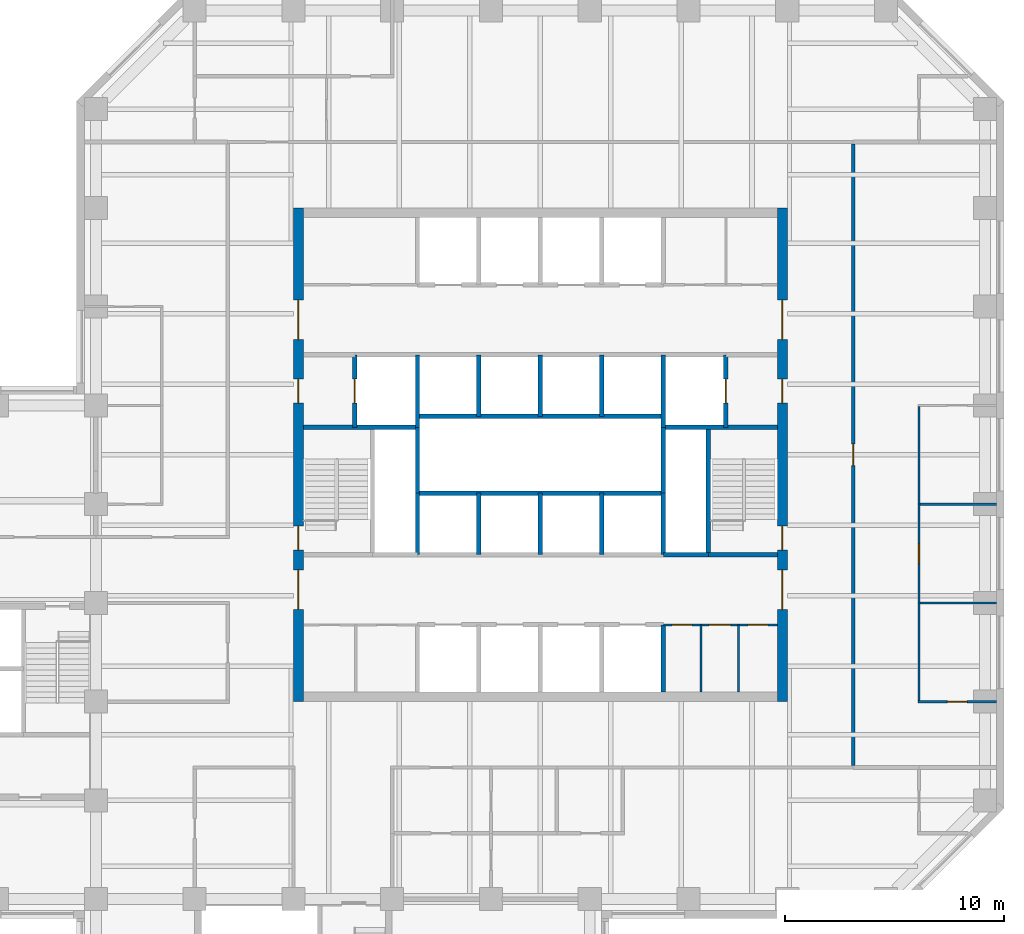
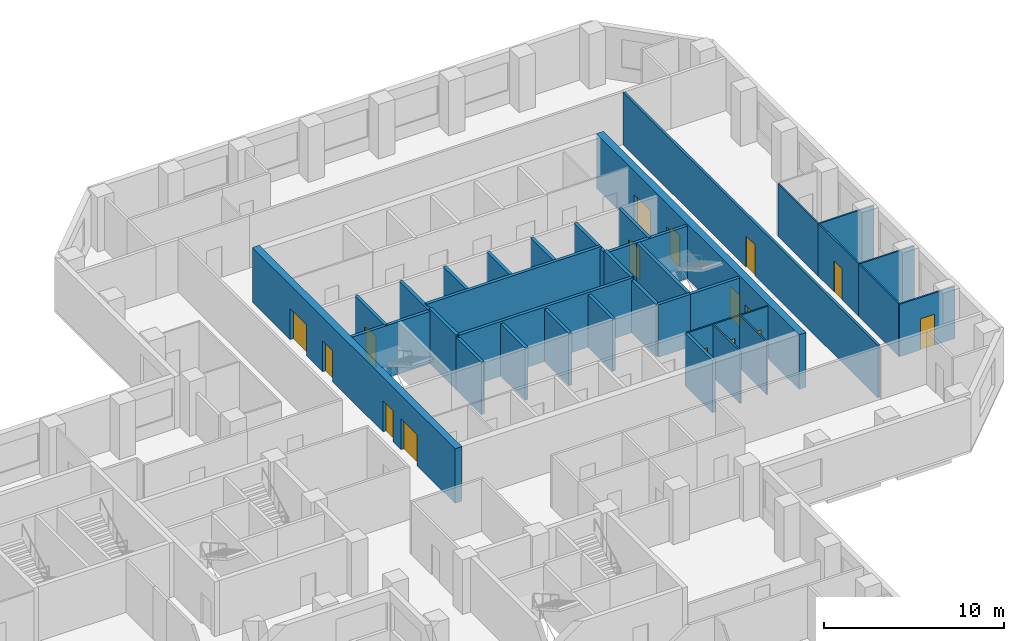
# One storey, part 7 of 10: 34 walls, 16 doors, 16 openings.
"""IFC4 building model written with IfcOpenShell, lengths in metres."""

from ifc_helpers import new_model, si_unit, direction, frame, frame_2d, origin, place, context, subcontext, project, spatial, rectangle, extrude, material, layer, layer_set, type_object, element, fill, save


model = new_model("IFC4")

# Units and contexts
model_context = context("Model", 3, precision=1e-05, world=origin(), true_north=direction((0.0, 1.0)))
body_context = subcontext(model_context, "Body", "Model", "MODEL_VIEW")
ifc_project = project(units=[si_unit("LENGTHUNIT", "METRE"), si_unit("AREAUNIT", "SQUARE_METRE"), si_unit("VOLUMEUNIT", "CUBIC_METRE"), si_unit("PLANEANGLEUNIT", "RADIAN"), si_unit("MASSUNIT", "GRAM", prefix="KILO")], contexts=[model_context])

# Site, building, storey
site_placement = place(None, origin())
site = spatial("IfcSite", under=ifc_project, at=site_placement, CompositionType="ELEMENT")
building_placement = place(site_placement, origin())
building = spatial("IfcBuilding", under=site, at=building_placement, Name="Quoin Convention Tower", CompositionType="ELEMENT")
storey_placement = place(building_placement, frame((0.0, 0.0, 90.0)))
storey = spatial("IfcBuildingStorey", under=building, at=storey_placement, Name="L23", CompositionType="ELEMENT", Elevation=90.0)

# Wall, openings, doors
ifc_material_1 = material(Name="Plasterboard")
ifc_layer_1 = layer(ifc_material_1, 0.012451171875, Name="Finish")
ifc_material_2 = material(Name="Steel stud framing", Category="steel")
ifc_layer_2 = layer(ifc_material_2, 0.074951171875, Name="Structure")
ifc_layer_3 = layer(ifc_material_1, 0.012451171875, Name="Finish")
ifc_layer_set_1 = layer_set([ifc_layer_1, ifc_layer_2, ifc_layer_3], Name="Steel stud framing")
wall_type_1 = type_object("IfcWallType", Name="Core partition wall", PredefinedType="PARTITIONING", material=ifc_layer_set_1)
wall_1_placement = place(storey_placement, frame((61.85009765625, 53.0, 0.0), z_axis=(0.0, 0.0, 1.0), x_axis=(1.0, 0.0, 0.0)))
wall_1 = element("IfcWall", 1, at=wall_1_placement, inside=storey, type_object=wall_type_1, Name="cr-C1-L23-h3500_16850", PredefinedType="PARTITIONING", context=body_context, shape_type="SweptSolid", body=[
    extrude(rectangle(XDim=5.199951171875, YDim=0.10009765625, at=frame_2d((2.60009765625, 0.0))), origin(), (0.0, 0.0, 1.0), 3.550048828125),
])
opening_1_placement = place(wall_1_placement, frame((3.865966796875, 0.0, 0.0)))
opening_1 = element("IfcOpeningElement", 2, at=opening_1_placement, cuts=wall_1, Name="Opening DCV2-21", PredefinedType="OPENING", context=body_context, shape_type="SweptSolid", body=[
    extrude(rectangle(XDim=0.89990234375, YDim=2.10009765625, at=frame_2d((0.449951171875, 1.050048828125))), frame((0.0, 0.06005859375, 0.0), z_axis=(0.0, -1.0, 0.0), x_axis=(1.0, 0.0, 0.0)), (0.0, 0.0, 1.0), 0.1201171875),
])
opening_2_placement = place(wall_1_placement, frame((2.073974609375, 0.0, 0.0)))
opening_2 = element("IfcOpeningElement", 3, at=opening_2_placement, cuts=wall_1, Name="Opening DCV2-19", PredefinedType="OPENING", context=body_context, shape_type="SweptSolid", body=[
    extrude(rectangle(XDim=1.0, YDim=2.10009765625, at=frame_2d((0.5, 1.050048828125))), frame((0.0, 0.06005859375, 0.0), z_axis=(0.0, -1.0, 0.0), x_axis=(1.0, 0.0, 0.0)), (0.0, 0.0, 1.0), 0.1201171875),
])
opening_3_placement = place(wall_1_placement, frame((0.407958984375, 0.0, 0.0)))
opening_3 = element("IfcOpeningElement", 4, at=opening_3_placement, cuts=wall_1, Name="Opening DCV2-17", PredefinedType="OPENING", context=body_context, shape_type="SweptSolid", body=[
    extrude(rectangle(XDim=0.89990234375, YDim=2.10009765625, at=frame_2d((0.449951171875, 1.050048828125))), frame((0.0, 0.06005859375, 0.0), z_axis=(0.0, -1.0, 0.0), x_axis=(1.0, 0.0, 0.0)), (0.0, 0.0, 1.0), 0.1201171875),
])
ifc_material_3 = material(Name="Steel door leaf", Category="steel")
door_type_1 = type_object("IfcDoorType", Name="Core room door 1000 x 2100", OperationType="SINGLE_SWING_LEFT", PredefinedType="DOOR", material=ifc_material_3)
door_1_placement = place(opening_2_placement, frame((1.0, 0.0, 0.0), z_axis=(0.0, 0.0, 1.0), x_axis=(-1.0, 0.0, 0.0)))
door_1 = element("IfcDoor", 5, at=door_1_placement, inside=storey, type_object=door_type_1, Name="cd-C1-L23-CSE1-lobA-CD2311", OperationType="SINGLE_SWING_LEFT", OverallHeight=2.10009765625, OverallWidth=1.0, PredefinedType="DOOR", context=body_context, shape_type="SweptSolid", body=[
    extrude(rectangle(XDim=1.0, YDim=2.10009765625, at=frame_2d((0.5, 1.050048828125))), frame((0.0, 0.02490234375, 0.0), z_axis=(0.0, -1.0, 0.0), x_axis=(1.0, 0.0, 0.0)), (0.0, 0.0, 1.0), 0.050048828125),
])
fill(opening_2, door_1)
door_type_2 = type_object("IfcDoorType", Name="Core room door 900 x 2100", OperationType="SINGLE_SWING_LEFT", PredefinedType="DOOR", material=ifc_material_3)
door_2_placement = place(opening_1_placement, frame((0.89990234375, 0.0, 0.0), z_axis=(0.0, 0.0, 1.0), x_axis=(-1.0, 0.0, 0.0)))
door_2 = element("IfcDoor", 6, at=door_2_placement, inside=storey, type_object=door_type_2, Name="cd-C1-L23-CSE0-lobA-CD2310", OperationType="SINGLE_SWING_LEFT", OverallHeight=2.10009765625, OverallWidth=0.89990234375, PredefinedType="DOOR", context=body_context, shape_type="SweptSolid", body=[
    extrude(rectangle(XDim=0.89990234375, YDim=2.10009765625, at=frame_2d((0.449951171875, 1.050048828125))), frame((0.0, 0.02490234375, 0.0), z_axis=(0.0, -1.0, 0.0), x_axis=(1.0, 0.0, 0.0)), (0.0, 0.0, 1.0), 0.050048828125),
])
fill(opening_1, door_2)
door_3_placement = place(opening_3_placement, frame((0.89990234375, 0.0, 0.0), z_axis=(0.0, 0.0, 1.0), x_axis=(-1.0, 0.0, 0.0)))
door_3 = element("IfcDoor", 7, at=door_3_placement, inside=storey, type_object=door_type_2, Name="cd-C1-L23-CSE2-lobA-CD2312", OperationType="SINGLE_SWING_RIGHT", OverallHeight=2.10009765625, OverallWidth=0.89990234375, PredefinedType="DOOR", context=body_context, shape_type="SweptSolid", body=[
    extrude(rectangle(XDim=0.89990234375, YDim=2.10009765625, at=frame_2d((0.449951171875, 1.050048828125))), frame((0.0, 0.02490234375, 0.0), z_axis=(0.0, -1.0, 0.0), x_axis=(1.0, 0.0, 0.0)), (0.0, 0.0, 1.0), 0.050048828125),
])
fill(opening_3, door_3)

# Walls
for number, where, z_axis, x_axis, name in (
    (8, (63.56591796875, 49.949951171875, 0.0), (0.0, 0.0, 1.0), (0.0, 1.0, 0.0), "cr-C1-L23-v18566_450"),
    (9, (65.281982421875, 49.949951171875, 0.0), (0.0, 0.0, 1.0), (0.0, 1.0, 0.0), "cr-C1-L23-v20282_450"),
):
    element("IfcWall", number, at=place(storey_placement, frame(where, z_axis=z_axis, x_axis=x_axis)), inside=storey, type_object=wall_type_1, Name=name, PredefinedType="PARTITIONING", context=body_context, shape_type="SweptSolid", body=[
        extrude(rectangle(XDim=3.050048828125, YDim=0.10009765625, at=frame_2d((1.52490234375, 0.0))), origin(), (0.0, 0.0, 1.0), 3.550048828125),
    ])
ifc_material_4 = material(Name="Concrete C50", Category="concrete")
ifc_layer_4 = layer(ifc_material_4, 0.199951171875)
ifc_layer_set_2 = layer_set([ifc_layer_4], Name="Concrete C50")
wall_type_2 = type_object("IfcWallType", Name="Core shaft wall", PredefinedType="SOLIDWALL", material=ifc_layer_set_2)
wall_2_placement = place(storey_placement, frame((61.85009765625, 56.199951171875, 0.0), z_axis=(0.0, 0.0, 1.0), x_axis=(1.0, 0.0, 0.0)))
element("IfcWall", 10, at=wall_2_placement, inside=storey, type_object=wall_type_2, Name="cr-C1-L23-h6700_16850", PredefinedType="SOLIDWALL", context=body_context, shape_type="SweptSolid", body=[
    extrude(rectangle(XDim=2.0498046875, YDim=0.199951171875, at=frame_2d((1.02490234375, 0.0))), origin(), (0.0, 0.0, 1.0), 3.550048828125),
])
wall_3_placement = place(storey_placement, frame((63.89990234375, 56.199951171875, 0.0), z_axis=(0.0, 0.0, 1.0), x_axis=(1.0, 0.0, 0.0)))
element("IfcWall", 11, at=wall_3_placement, inside=storey, type_object=wall_type_2, Name="cr-C1-L23-h6700_18900", PredefinedType="SOLIDWALL", context=body_context, shape_type="SweptSolid", body=[
    extrude(rectangle(XDim=3.150146484375, YDim=0.199951171875, at=frame_2d((1.5751953125, 0.0))), origin(), (0.0, 0.0, 1.0), 3.550048828125),
])
for number, where, z_axis, x_axis, name in (
    (12, (45.449951171875, 62.0, 0.0), (0.0, 0.0, 1.0), (1.0, 0.0, 0.0), "cr-C1-L23-h12500_450"),
    (13, (61.85009765625, 62.0, 0.0), (0.0, 0.0, 1.0), (1.0, 0.0, 0.0), "cr-C1-L23-h12500_16850"),
):
    element("IfcWall", number, at=place(storey_placement, frame(where, z_axis=z_axis, x_axis=x_axis)), inside=storey, type_object=wall_type_2, Name=name, PredefinedType="SOLIDWALL", context=body_context, shape_type="SweptSolid", body=[
        extrude(rectangle(XDim=5.199951171875, YDim=0.199951171875, at=frame_2d((2.60009765625, 0.0))), origin(), (0.0, 0.0, 1.0), 3.550048828125),
    ])

# Wall, opening, door
wall_4_placement = place(storey_placement, frame((47.800048828125, 62.0, 0.0), z_axis=(0.0, 0.0, 1.0), x_axis=(0.0, 1.0, 0.0)))
wall_4 = element("IfcWall", 14, at=wall_4_placement, inside=storey, type_object=wall_type_2, Name="cr-C1-L23-v2800_12500", PredefinedType="SOLIDWALL", context=body_context, shape_type="SweptSolid", body=[
    extrude(rectangle(XDim=3.300048828125, YDim=0.199951171875, at=frame_2d((1.64990234375, 0.0))), origin(), (0.0, 0.0, 1.0), 3.550048828125),
])
opening_4_placement = place(wall_4_placement, frame((1.10009765625, 0.0, 0.0)))
opening_4 = element("IfcOpeningElement", 15, at=opening_4_placement, cuts=wall_4, Name="Opening LDFL1", PredefinedType="OPENING", context=body_context, shape_type="SweptSolid", body=[
    extrude(rectangle(XDim=1.10009765625, YDim=2.10009765625, at=frame_2d((0.550048828125, 1.050048828125))), frame((0.0, 0.10986328125, 0.0), z_axis=(0.0, -1.0, 0.0), x_axis=(1.0, 0.0, 0.0)), (0.0, 0.0, 1.0), 0.219970703125),
])
door_type_3 = type_object("IfcDoorType", Name="Lift landing door 1100 x 2100", OperationType="DOUBLE_DOOR_SLIDING", PredefinedType="DOOR", material=ifc_material_3)
door_4_placement = place(opening_4_placement, origin())
door_4 = element("IfcDoor", 16, at=door_4_placement, inside=storey, type_object=door_type_3, Name="cd-C1-L23-FLW-FFW-LDFL1", OperationType="DOUBLE_DOOR_SLIDING", OverallHeight=2.10009765625, OverallWidth=1.10009765625, PredefinedType="DOOR", context=body_context, shape_type="SweptSolid", body=[
    extrude(rectangle(XDim=1.10009765625, YDim=2.10009765625, at=frame_2d((0.550048828125, 1.050048828125))), frame((0.0, 0.02490234375, 0.0), z_axis=(0.0, -1.0, 0.0), x_axis=(1.0, 0.0, 0.0)), (0.0, 0.0, 1.0), 0.050048828125),
])
fill(opening_4, door_4)

# Walls
wall_5_placement = place(storey_placement, frame((50.64990234375, 56.199951171875, 0.0), z_axis=(0.0, 0.0, 1.0), x_axis=(0.0, 1.0, 0.0)))
element("IfcWall", 17, at=wall_5_placement, inside=storey, type_object=wall_type_2, Name="cr-C1-L23-v5650_6700", PredefinedType="SOLIDWALL", context=body_context, shape_type="SweptSolid", body=[
    extrude(rectangle(XDim=2.800048828125, YDim=0.199951171875, at=frame_2d((1.39990234375, 0.0))), origin(), (0.0, 0.0, 1.0), 3.550048828125),
])
wall_6_placement = place(storey_placement, frame((50.64990234375, 62.0, 0.0), z_axis=(0.0, 0.0, 1.0), x_axis=(0.0, 1.0, 0.0)))
element("IfcWall", 18, at=wall_6_placement, inside=storey, type_object=wall_type_2, Name="cr-C1-L23-v5650_12500", PredefinedType="SOLIDWALL", context=body_context, shape_type="SweptSolid", body=[
    extrude(rectangle(XDim=3.300048828125, YDim=0.199951171875, at=frame_2d((1.64990234375, 0.0))), origin(), (0.0, 0.0, 1.0), 3.550048828125),
])
for number, where, z_axis, x_axis, name in (
    (19, (53.449951171875, 56.199951171875, 0.0), (0.0, 0.0, 1.0), (0.0, 1.0, 0.0), "cr-C1-L23-v8450_6700"),
    (20, (53.449951171875, 62.5, 0.0), (0.0, 0.0, 1.0), (0.0, 1.0, 0.0), "cr-C1-L23-v8450_13000"),
    (21, (56.25, 56.199951171875, 0.0), (0.0, 0.0, 1.0), (0.0, 1.0, 0.0), "cr-C1-L23-v11250_6700"),
    (22, (56.25, 62.5, 0.0), (0.0, 0.0, 1.0), (0.0, 1.0, 0.0), "cr-C1-L23-v11250_13000"),
    (23, (59.050048828125, 56.199951171875, 0.0), (0.0, 0.0, 1.0), (0.0, 1.0, 0.0), "cr-C1-L23-v14050_6700"),
    (24, (59.050048828125, 62.5, 0.0), (0.0, 0.0, 1.0), (0.0, 1.0, 0.0), "cr-C1-L23-v14050_13000"),
):
    element("IfcWall", number, at=place(storey_placement, frame(where, z_axis=z_axis, x_axis=x_axis)), inside=storey, type_object=wall_type_2, Name=name, PredefinedType="SOLIDWALL", context=body_context, shape_type="SweptSolid", body=[
        extrude(rectangle(XDim=2.800048828125, YDim=0.199951171875, at=frame_2d((1.39990234375, 0.0))), origin(), (0.0, 0.0, 1.0), 3.550048828125),
    ])
wall_7_placement = place(storey_placement, frame((61.85009765625, 49.949951171875, 0.0), z_axis=(0.0, 0.0, 1.0), x_axis=(0.0, 1.0, 0.0)))
element("IfcWall", 25, at=wall_7_placement, inside=storey, type_object=wall_type_2, Name="cr-C1-L23-v16850_450", PredefinedType="SOLIDWALL", context=body_context, shape_type="SweptSolid", body=[
    extrude(rectangle(XDim=3.050048828125, YDim=0.199951171875, at=frame_2d((1.52490234375, 0.0))), origin(), (0.0, 0.0, 1.0), 3.550048828125),
])
wall_8_placement = place(storey_placement, frame((61.85009765625, 56.199951171875, 0.0), z_axis=(0.0, 0.0, 1.0), x_axis=(0.0, 1.0, 0.0)))
element("IfcWall", 26, at=wall_8_placement, inside=storey, type_object=wall_type_2, Name="cr-C1-L23-v16850_6700", PredefinedType="SOLIDWALL", context=body_context, shape_type="SweptSolid", body=[
    extrude(rectangle(XDim=2.800048828125, YDim=0.199951171875, at=frame_2d((1.39990234375, 0.0))), origin(), (0.0, 0.0, 1.0), 3.550048828125),
])
wall_9_placement = place(storey_placement, frame((61.85009765625, 62.0, 0.0), z_axis=(0.0, 0.0, 1.0), x_axis=(0.0, 1.0, 0.0)))
element("IfcWall", 27, at=wall_9_placement, inside=storey, type_object=wall_type_2, Name="cr-C1-L23-v16850_12500", PredefinedType="SOLIDWALL", context=body_context, shape_type="SweptSolid", body=[
    extrude(rectangle(XDim=3.300048828125, YDim=0.199951171875, at=frame_2d((1.64990234375, 0.0))), origin(), (0.0, 0.0, 1.0), 3.550048828125),
])
wall_10_placement = place(storey_placement, frame((63.89990234375, 56.199951171875, 0.0), z_axis=(0.0, 0.0, 1.0), x_axis=(0.0, 1.0, 0.0)))
element("IfcWall", 28, at=wall_10_placement, inside=storey, type_object=wall_type_2, Name="cr-C1-L23-v18900_6700", PredefinedType="SOLIDWALL", context=body_context, shape_type="SweptSolid", body=[
    extrude(rectangle(XDim=5.800048828125, YDim=0.199951171875, at=frame_2d((2.89990234375, 0.0))), origin(), (0.0, 0.0, 1.0), 3.550048828125),
])

# Wall, opening, door
wall_11_placement = place(storey_placement, frame((64.699951171875, 62.0, 0.0), z_axis=(0.0, 0.0, 1.0), x_axis=(0.0, 1.0, 0.0)))
wall_11 = element("IfcWall", 29, at=wall_11_placement, inside=storey, type_object=wall_type_2, Name="cr-C1-L23-v19700_12500", PredefinedType="SOLIDWALL", context=body_context, shape_type="SweptSolid", body=[
    extrude(rectangle(XDim=3.300048828125, YDim=0.199951171875, at=frame_2d((1.64990234375, 0.0))), origin(), (0.0, 0.0, 1.0), 3.550048828125),
])
opening_5_placement = place(wall_11_placement, frame((1.10009765625, 0.0, 0.0)))
opening_5 = element("IfcOpeningElement", 30, at=opening_5_placement, cuts=wall_11, Name="Opening LDFL2", PredefinedType="OPENING", context=body_context, shape_type="SweptSolid", body=[
    extrude(rectangle(XDim=1.10009765625, YDim=2.10009765625, at=frame_2d((0.550048828125, 1.050048828125))), frame((0.0, 0.10986328125, 0.0), z_axis=(0.0, -1.0, 0.0), x_axis=(1.0, 0.0, 0.0)), (0.0, 0.0, 1.0), 0.219970703125),
])
door_5_placement = place(opening_5_placement, origin())
door_5 = element("IfcDoor", 31, at=door_5_placement, inside=storey, type_object=door_type_3, Name="cd-C1-L23-FLE-FFE-LDFL2", OperationType="DOUBLE_DOOR_SLIDING", OverallHeight=2.10009765625, OverallWidth=1.10009765625, PredefinedType="DOOR", context=body_context, shape_type="SweptSolid", body=[
    extrude(rectangle(XDim=1.10009765625, YDim=2.10009765625, at=frame_2d((0.550048828125, 1.050048828125))), frame((0.0, 0.02490234375, 0.0), z_axis=(0.0, -1.0, 0.0), x_axis=(1.0, 0.0, 0.0)), (0.0, 0.0, 1.0), 0.050048828125),
])
fill(opening_5, door_5)

# Walls
ifc_layer_5 = layer(ifc_material_4, 0.199951171875)
ifc_layer_set_3 = layer_set([ifc_layer_5], Name="Concrete C50")
wall_type_3 = type_object("IfcWallType", Name="Core shaft wall to the floor level over", PredefinedType="SOLIDWALL", material=ifc_layer_set_3)
for number, where, z_axis, x_axis, name in (
    (32, (50.64990234375, 59.0, 0.0), (0.0, 0.0, 1.0), (1.0, 0.0, 0.0), "cr-C1-L23-h9500_5650"),
    (33, (50.64990234375, 62.5, 0.0), (0.0, 0.0, 1.0), (1.0, 0.0, 0.0), "cr-C1-L23-h13000_5650"),
):
    element("IfcWall", number, at=place(storey_placement, frame(where, z_axis=z_axis, x_axis=x_axis)), inside=storey, type_object=wall_type_3, Name=name, PredefinedType="SOLIDWALL", context=body_context, shape_type="SweptSolid", body=[
        extrude(rectangle(XDim=11.2001953125, YDim=0.199951171875, at=frame_2d((5.60009765625, 0.0))), origin(), (0.0, 0.0, 1.0), 3.699951171875),
    ])
for number, where, z_axis, x_axis, name in (
    (34, (50.64990234375, 59.0, 0.0), (0.0, 0.0, 1.0), (0.0, 1.0, 0.0), "cr-C1-L23-v5650_9500"),
    (35, (61.85009765625, 59.0, 0.0), (0.0, 0.0, 1.0), (0.0, 1.0, 0.0), "cr-C1-L23-v16850_9500"),
):
    element("IfcWall", number, at=place(storey_placement, frame(where, z_axis=z_axis, x_axis=x_axis)), inside=storey, type_object=wall_type_3, Name=name, PredefinedType="SOLIDWALL", context=body_context, shape_type="SweptSolid", body=[
        extrude(rectangle(XDim=3.0, YDim=0.199951171875, at=frame_2d((1.5, 0.0))), origin(), (0.0, 0.0, 1.0), 3.699951171875),
    ])

# Wall, opening, door
ifc_layer_6 = layer(ifc_material_1, 0.012451171875, Name="Finish")
ifc_layer_7 = layer(ifc_material_2, 0.125, Name="Structure")
ifc_layer_8 = layer(ifc_material_1, 0.012451171875, Name="Finish")
ifc_layer_set_4 = layer_set([ifc_layer_6, ifc_layer_7, ifc_layer_8], Name="Steel stud framing")
wall_type_4 = type_object("IfcWallType", Name="Corridor wall 150", PredefinedType="PARTITIONING", material=ifc_layer_set_4)
wall_12_placement = place(storey_placement, frame((70.5, 46.60009765625, 0.0), z_axis=(0.0, 0.0, 1.0), x_axis=(0.0, 1.0, 0.0)))
wall_12 = element("IfcWall", 36, at=wall_12_placement, inside=storey, type_object=wall_type_4, Name="pw-L23-081", PredefinedType="PARTITIONING", context=body_context, shape_type="SweptSolid", body=[
    extrude(rectangle(XDim=28.2998046875, YDim=0.14990234375, at=frame_2d((14.14990234375, 0.0))), origin(), (0.0, 0.0, 1.0), 3.550048828125),
])
opening_6_placement = place(wall_12_placement, frame((13.64990234375, 0.0, 0.0)))
opening_6 = element("IfcOpeningElement", 37, at=opening_6_placement, cuts=wall_12, Name="Opening DOL2-25", PredefinedType="OPENING", context=body_context, shape_type="SweptSolid", body=[
    extrude(rectangle(XDim=1.0, YDim=2.10009765625, at=frame_2d((0.5, 1.050048828125))), frame((0.0, 0.0849609375, 0.0), z_axis=(0.0, -1.0, 0.0), x_axis=(1.0, 0.0, 0.0)), (0.0, 0.0, 1.0), 0.169921875),
])
door_type_4 = type_object("IfcDoorType", Name="Tenancy entrance door 1000 x 2100", OperationType="DOUBLE_DOOR_SINGLE_SWING", PredefinedType="DOOR", material=ifc_material_3)
door_6_placement = place(opening_6_placement, frame((1.0, 0.0, 0.0), z_axis=(0.0, 0.0, 1.0), x_axis=(-1.0, 0.0, 0.0)))
door_6 = element("IfcDoor", 38, at=door_6_placement, inside=storey, type_object=door_type_4, Name="dr-L23-27", OperationType="DOUBLE_DOOR_SINGLE_SWING", OverallHeight=2.10009765625, OverallWidth=1.0, PredefinedType="DOOR", context=body_context, shape_type="SweptSolid", body=[
    extrude(rectangle(XDim=1.0, YDim=2.10009765625, at=frame_2d((0.5, 1.050048828125))), frame((0.0, 0.02490234375, 0.0), z_axis=(0.0, -1.0, 0.0), x_axis=(1.0, 0.0, 0.0)), (0.0, 0.0, 1.0), 0.050048828125),
])
fill(opening_6, door_6)

# Wall, openings, doors
ifc_material_5 = material(Name="Concrete C65", Category="concrete")
ifc_layer_9 = layer(ifc_material_5, 0.449951171875)
ifc_layer_set_5 = layer_set([ifc_layer_9], Name="Concrete C65")
wall_type_5 = type_object("IfcWallType", Name="RC CORE WALL 450 C65", PredefinedType="SHEAR", material=ifc_layer_set_5)
wall_13_placement = place(storey_placement, frame((45.22509765625, 49.5, 0.0), z_axis=(0.0, 0.0, 1.0), x_axis=(0.0, 1.0, 0.0)))
wall_13 = element("IfcWall", 39, at=wall_13_placement, inside=storey, type_object=wall_type_5, Name="cwl-C1-L23-W", PredefinedType="SHEAR", context=body_context, shape_type="SweptSolid", body=[
    extrude(rectangle(XDim=22.5, YDim=0.449951171875, at=frame_2d((11.25, 0.0))), origin(), (0.0, 0.0, 1.0), 3.699951171875),
])
opening_7_placement = place(wall_13_placement, frame((4.199951171875, 0.0, 0.0)))
opening_7 = element("IfcOpeningElement", 40, at=opening_7_placement, cuts=wall_13, Name="Opening DCV2-40", PredefinedType="OPENING", context=body_context, shape_type="SweptSolid", body=[
    extrude(rectangle(XDim=1.800048828125, YDim=2.10009765625, at=frame_2d((0.89990234375, 1.050048828125))), frame((0.0, 0.23486328125, 0.0), z_axis=(0.0, -1.0, 0.0), x_axis=(1.0, 0.0, 0.0)), (0.0, 0.0, 1.0), 0.469970703125),
])
opening_8_placement = place(wall_13_placement, frame((6.89990234375, 0.0, 0.0)))
opening_8 = element("IfcOpeningElement", 41, at=opening_8_placement, cuts=wall_13, Name="Opening SD1", PredefinedType="OPENING", context=body_context, shape_type="SweptSolid", body=[
    extrude(rectangle(XDim=1.10009765625, YDim=2.10009765625, at=frame_2d((0.550048828125, 1.050048828125))), frame((0.0, 0.23486328125, 0.0), z_axis=(0.0, -1.0, 0.0), x_axis=(1.0, 0.0, 0.0)), (0.0, 0.0, 1.0), 0.469970703125),
])
opening_9_placement = place(wall_13_placement, frame((13.60009765625, 0.0, 0.0)))
opening_9 = element("IfcOpeningElement", 42, at=opening_9_placement, cuts=wall_13, Name="Opening DCV2-39", PredefinedType="OPENING", context=body_context, shape_type="SweptSolid", body=[
    extrude(rectangle(XDim=1.10009765625, YDim=2.10009765625, at=frame_2d((0.550048828125, 1.050048828125))), frame((0.0, 0.23486328125, 0.0), z_axis=(0.0, -1.0, 0.0), x_axis=(1.0, 0.0, 0.0)), (0.0, 0.0, 1.0), 0.469970703125),
])
opening_10_placement = place(wall_13_placement, frame((16.5, 0.0, 0.0)))
opening_10 = element("IfcOpeningElement", 43, at=opening_10_placement, cuts=wall_13, Name="Opening DCV2-40", PredefinedType="OPENING", context=body_context, shape_type="SweptSolid", body=[
    extrude(rectangle(XDim=1.800048828125, YDim=2.10009765625, at=frame_2d((0.89990234375, 1.050048828125))), frame((0.0, 0.23486328125, 0.0), z_axis=(0.0, -1.0, 0.0), x_axis=(1.0, 0.0, 0.0)), (0.0, 0.0, 1.0), 0.469970703125),
])
door_type_5 = type_object("IfcDoorType", Name="Fire-fighting lobby door 1100 x 2100", OperationType="SINGLE_SWING_LEFT", PredefinedType="DOOR", material=ifc_material_3)
door_7_placement = place(opening_9_placement, frame((1.10009765625, 0.0, 0.0), z_axis=(0.0, 0.0, 1.0), x_axis=(-1.0, 0.0, 0.0)))
door_7 = element("IfcDoor", 44, at=door_7_placement, inside=storey, type_object=door_type_5, Name="cd-C1-L23-FFW-W", OperationType="SINGLE_SWING_LEFT", OverallHeight=2.10009765625, OverallWidth=1.10009765625, PredefinedType="DOOR", context=body_context, shape_type="SweptSolid", body=[
    extrude(rectangle(XDim=1.10009765625, YDim=2.10009765625, at=frame_2d((0.550048828125, 1.050048828125))), frame((0.0, 0.02490234375, 0.0), z_axis=(0.0, -1.0, 0.0), x_axis=(1.0, 0.0, 0.0)), (0.0, 0.0, 1.0), 0.050048828125),
])
fill(opening_9, door_7)
door_type_6 = type_object("IfcDoorType", Name="Lift lobby door 1800 x 2100", OperationType="SINGLE_SWING_LEFT", PredefinedType="DOOR", material=ifc_material_3)
door_8_placement = place(opening_7_placement, frame((1.800048828125, 0.0, 0.0), z_axis=(0.0, 0.0, 1.0), x_axis=(-1.0, 0.0, 0.0)))
door_8 = element("IfcDoor", 45, at=door_8_placement, inside=storey, type_object=door_type_6, Name="cd-C1-L23-lobA-W", OperationType="SINGLE_SWING_LEFT", OverallHeight=2.10009765625, OverallWidth=1.800048828125, PredefinedType="DOOR", context=body_context, shape_type="SweptSolid", body=[
    extrude(rectangle(XDim=1.800048828125, YDim=2.10009765625, at=frame_2d((0.89990234375, 1.050048828125))), frame((0.0, 0.02490234375, 0.0), z_axis=(0.0, -1.0, 0.0), x_axis=(1.0, 0.0, 0.0)), (0.0, 0.0, 1.0), 0.050048828125),
])
fill(opening_7, door_8)
door_9_placement = place(opening_10_placement, frame((1.800048828125, 0.0, 0.0), z_axis=(0.0, 0.0, 1.0), x_axis=(-1.0, 0.0, 0.0)))
door_9 = element("IfcDoor", 46, at=door_9_placement, inside=storey, type_object=door_type_6, Name="cd-C1-L23-lobB-W", OperationType="SINGLE_SWING_LEFT", OverallHeight=2.10009765625, OverallWidth=1.800048828125, PredefinedType="DOOR", context=body_context, shape_type="SweptSolid", body=[
    extrude(rectangle(XDim=1.800048828125, YDim=2.10009765625, at=frame_2d((0.89990234375, 1.050048828125))), frame((0.0, 0.02490234375, 0.0), z_axis=(0.0, -1.0, 0.0), x_axis=(1.0, 0.0, 0.0)), (0.0, 0.0, 1.0), 0.050048828125),
])
fill(opening_10, door_9)
door_type_7 = type_object("IfcDoorType", Name="Stair door 1100 x 2100", OperationType="SINGLE_SWING_RIGHT", PredefinedType="DOOR", material=ifc_material_3)
door_10_placement = place(opening_8_placement, frame((1.10009765625, 0.0, 0.0), z_axis=(0.0, 0.0, 1.0), x_axis=(-1.0, 0.0, 0.0)))
door_10 = element("IfcDoor", 47, at=door_10_placement, inside=storey, type_object=door_type_7, Name="cd-C1-L23-STW-W", OperationType="SINGLE_SWING_RIGHT", OverallHeight=2.10009765625, OverallWidth=1.10009765625, PredefinedType="DOOR", context=body_context, shape_type="SweptSolid", body=[
    extrude(rectangle(XDim=1.10009765625, YDim=2.10009765625, at=frame_2d((0.550048828125, 1.050048828125))), frame((0.0, 0.02490234375, 0.0), z_axis=(0.0, -1.0, 0.0), x_axis=(1.0, 0.0, 0.0)), (0.0, 0.0, 1.0), 0.050048828125),
])
fill(opening_8, door_10)

wall_14_placement = place(storey_placement, frame((67.27490234375, 49.5, 0.0), z_axis=(0.0, 0.0, 1.0), x_axis=(0.0, 1.0, 0.0)))
wall_14 = element("IfcWall", 48, at=wall_14_placement, inside=storey, type_object=wall_type_5, Name="cwl-C1-L23-E", PredefinedType="SHEAR", context=body_context, shape_type="SweptSolid", body=[
    extrude(rectangle(XDim=22.5, YDim=0.449951171875, at=frame_2d((11.25, 0.0))), origin(), (0.0, 0.0, 1.0), 3.699951171875),
])
opening_11_placement = place(wall_14_placement, frame((4.199951171875, 0.0, 0.0)))
opening_11 = element("IfcOpeningElement", 49, at=opening_11_placement, cuts=wall_14, Name="Opening DCV2-38", PredefinedType="OPENING", context=body_context, shape_type="SweptSolid", body=[
    extrude(rectangle(XDim=1.800048828125, YDim=2.10009765625, at=frame_2d((0.89990234375, 1.050048828125))), frame((0.0, 0.23486328125, 0.0), z_axis=(0.0, -1.0, 0.0), x_axis=(1.0, 0.0, 0.0)), (0.0, 0.0, 1.0), 0.469970703125),
])
opening_12_placement = place(wall_14_placement, frame((6.89990234375, 0.0, 0.0)))
opening_12 = element("IfcOpeningElement", 50, at=opening_12_placement, cuts=wall_14, Name="Opening SD2", PredefinedType="OPENING", context=body_context, shape_type="SweptSolid", body=[
    extrude(rectangle(XDim=1.10009765625, YDim=2.10009765625, at=frame_2d((0.550048828125, 1.050048828125))), frame((0.0, 0.23486328125, 0.0), z_axis=(0.0, -1.0, 0.0), x_axis=(1.0, 0.0, 0.0)), (0.0, 0.0, 1.0), 0.469970703125),
])
opening_13_placement = place(wall_14_placement, frame((13.60009765625, 0.0, 0.0)))
opening_13 = element("IfcOpeningElement", 51, at=opening_13_placement, cuts=wall_14, Name="Opening DCV2-37", PredefinedType="OPENING", context=body_context, shape_type="SweptSolid", body=[
    extrude(rectangle(XDim=1.10009765625, YDim=2.10009765625, at=frame_2d((0.550048828125, 1.050048828125))), frame((0.0, 0.23486328125, 0.0), z_axis=(0.0, -1.0, 0.0), x_axis=(1.0, 0.0, 0.0)), (0.0, 0.0, 1.0), 0.469970703125),
])
opening_14_placement = place(wall_14_placement, frame((16.5, 0.0, 0.0)))
opening_14 = element("IfcOpeningElement", 52, at=opening_14_placement, cuts=wall_14, Name="Opening DCV2-38", PredefinedType="OPENING", context=body_context, shape_type="SweptSolid", body=[
    extrude(rectangle(XDim=1.800048828125, YDim=2.10009765625, at=frame_2d((0.89990234375, 1.050048828125))), frame((0.0, 0.23486328125, 0.0), z_axis=(0.0, -1.0, 0.0), x_axis=(1.0, 0.0, 0.0)), (0.0, 0.0, 1.0), 0.469970703125),
])
door_11_placement = place(opening_13_placement, origin())
door_11 = element("IfcDoor", 53, at=door_11_placement, inside=storey, type_object=door_type_5, Name="cd-C1-L23-FFE-E", OperationType="SINGLE_SWING_RIGHT", OverallHeight=2.10009765625, OverallWidth=1.10009765625, PredefinedType="DOOR", context=body_context, shape_type="SweptSolid", body=[
    extrude(rectangle(XDim=1.10009765625, YDim=2.10009765625, at=frame_2d((0.550048828125, 1.050048828125))), frame((0.0, 0.02490234375, 0.0), z_axis=(0.0, -1.0, 0.0), x_axis=(1.0, 0.0, 0.0)), (0.0, 0.0, 1.0), 0.050048828125),
])
fill(opening_13, door_11)
door_12_placement = place(opening_11_placement, origin())
door_12 = element("IfcDoor", 54, at=door_12_placement, inside=storey, type_object=door_type_6, Name="cd-C1-L23-lobA-E", OperationType="SINGLE_SWING_RIGHT", OverallHeight=2.10009765625, OverallWidth=1.800048828125, PredefinedType="DOOR", context=body_context, shape_type="SweptSolid", body=[
    extrude(rectangle(XDim=1.800048828125, YDim=2.10009765625, at=frame_2d((0.89990234375, 1.050048828125))), frame((0.0, 0.02490234375, 0.0), z_axis=(0.0, -1.0, 0.0), x_axis=(1.0, 0.0, 0.0)), (0.0, 0.0, 1.0), 0.050048828125),
])
fill(opening_11, door_12)
door_13_placement = place(opening_14_placement, origin())
door_13 = element("IfcDoor", 55, at=door_13_placement, inside=storey, type_object=door_type_6, Name="cd-C1-L23-lobB-E", OperationType="SINGLE_SWING_RIGHT", OverallHeight=2.10009765625, OverallWidth=1.800048828125, PredefinedType="DOOR", context=body_context, shape_type="SweptSolid", body=[
    extrude(rectangle(XDim=1.800048828125, YDim=2.10009765625, at=frame_2d((0.89990234375, 1.050048828125))), frame((0.0, 0.02490234375, 0.0), z_axis=(0.0, -1.0, 0.0), x_axis=(1.0, 0.0, 0.0)), (0.0, 0.0, 1.0), 0.050048828125),
])
fill(opening_14, door_13)
door_14_placement = place(opening_12_placement, origin())
door_14 = element("IfcDoor", 56, at=door_14_placement, inside=storey, type_object=door_type_7, Name="cd-C1-L23-STE-E", OperationType="SINGLE_SWING_LEFT", OverallHeight=2.10009765625, OverallWidth=1.10009765625, PredefinedType="DOOR", context=body_context, shape_type="SweptSolid", body=[
    extrude(rectangle(XDim=1.10009765625, YDim=2.10009765625, at=frame_2d((0.550048828125, 1.050048828125))), frame((0.0, 0.02490234375, 0.0), z_axis=(0.0, -1.0, 0.0), x_axis=(1.0, 0.0, 0.0)), (0.0, 0.0, 1.0), 0.050048828125),
])
fill(opening_12, door_14)

# Wall, opening, door
ifc_layer_10 = layer(ifc_material_1, 0.012451171875, Name="Finish")
ifc_layer_11 = layer(ifc_material_2, 0.074951171875, Name="Structure")
ifc_layer_12 = layer(ifc_material_1, 0.012451171875, Name="Finish")
ifc_layer_set_6 = layer_set([ifc_layer_10, ifc_layer_11, ifc_layer_12], Name="Steel stud framing")
wall_type_6 = type_object("IfcWallType", Name="Stud partition 100", PredefinedType="PARTITIONING", material=ifc_layer_set_6)
wall_15_placement = place(storey_placement, frame((73.449951171875, 49.5, 0.0), z_axis=(0.0, 0.0, 1.0), x_axis=(1.0, 0.0, 0.0)))
wall_15 = element("IfcWall", 57, at=wall_15_placement, inside=storey, type_object=wall_type_6, Name="pw-L23-033", PredefinedType="PARTITIONING", context=body_context, shape_type="SweptSolid", body=[
    extrude(rectangle(XDim=3.574951171875, YDim=0.10009765625, at=frame_2d((1.78759765625, 0.0))), origin(), (0.0, 0.0, 1.0), 3.550048828125),
])
opening_15_placement = place(wall_15_placement, frame((1.35009765625, 0.0, 0.0)))
opening_15 = element("IfcOpeningElement", 58, at=opening_15_placement, cuts=wall_15, Name="Opening DOL2-11", PredefinedType="OPENING", context=body_context, shape_type="SweptSolid", body=[
    extrude(rectangle(XDim=0.89990234375, YDim=2.10009765625, at=frame_2d((0.449951171875, 1.050048828125))), frame((0.0, 0.06005859375, 0.0), z_axis=(0.0, -1.0, 0.0), x_axis=(1.0, 0.0, 0.0)), (0.0, 0.0, 1.0), 0.1201171875),
])
door_type_8 = type_object("IfcDoorType", Name="Office door 900 x 2100", OperationType="SINGLE_SWING_RIGHT", PredefinedType="DOOR", material=ifc_material_3)
door_15_placement = place(opening_15_placement, frame((0.89990234375, 0.0, 0.0), z_axis=(0.0, 0.0, 1.0), x_axis=(-1.0, 0.0, 0.0)))
door_15 = element("IfcDoor", 59, at=door_15_placement, inside=storey, type_object=door_type_8, Name="dr-L23-28", OperationType="SINGLE_SWING_LEFT", OverallHeight=2.10009765625, OverallWidth=0.89990234375, PredefinedType="DOOR", context=body_context, shape_type="SweptSolid", body=[
    extrude(rectangle(XDim=0.89990234375, YDim=2.10009765625, at=frame_2d((0.449951171875, 1.050048828125))), frame((0.0, 0.02490234375, 0.0), z_axis=(0.0, -1.0, 0.0), x_axis=(1.0, 0.0, 0.0)), (0.0, 0.0, 1.0), 0.050048828125),
])
fill(opening_15, door_15)

# Walls
for number, where, z_axis, x_axis, name in (
    (60, (73.550048828125, 54.0, 0.0), (0.0, 0.0, 1.0), (1.0, 0.0, 0.0), "pw-L23-036"),
    (61, (73.550048828125, 58.5, 0.0), (0.0, 0.0, 1.0), (1.0, 0.0, 0.0), "pw-L23-041"),
):
    element("IfcWall", number, at=place(storey_placement, frame(where, z_axis=z_axis, x_axis=x_axis)), inside=storey, type_object=wall_type_6, Name=name, PredefinedType="PARTITIONING", context=body_context, shape_type="SweptSolid", body=[
        extrude(rectangle(XDim=3.474853515625, YDim=0.10009765625, at=frame_2d((1.7373046875, 0.0))), origin(), (0.0, 0.0, 1.0), 3.550048828125),
    ])
wall_16_placement = place(storey_placement, frame((73.5, 49.550048828125, 0.0), z_axis=(0.0, 0.0, 1.0), x_axis=(0.0, 1.0, 0.0)))
element("IfcWall", 62, at=wall_16_placement, inside=storey, type_object=wall_type_6, Name="pw-L23-083", PredefinedType="PARTITIONING", context=body_context, shape_type="SweptSolid", body=[
    extrude(rectangle(XDim=4.449951171875, YDim=0.10009765625, at=frame_2d((2.22509765625, 0.0))), origin(), (0.0, 0.0, 1.0), 3.550048828125),
])

# Wall, opening, door
wall_17_placement = place(storey_placement, frame((73.5, 54.0, 0.0), z_axis=(0.0, 0.0, 1.0), x_axis=(0.0, 1.0, 0.0)))
wall_17 = element("IfcWall", 63, at=wall_17_placement, inside=storey, type_object=wall_type_6, Name="pw-L23-086", PredefinedType="PARTITIONING", context=body_context, shape_type="SweptSolid", body=[
    extrude(rectangle(XDim=4.5, YDim=0.10009765625, at=frame_2d((2.25, 0.0))), origin(), (0.0, 0.0, 1.0), 3.550048828125),
])
opening_16_placement = place(wall_17_placement, frame((1.800048828125, 0.0, 0.0)))
opening_16 = element("IfcOpeningElement", 64, at=opening_16_placement, cuts=wall_17, Name="Opening DOL2-27", PredefinedType="OPENING", context=body_context, shape_type="SweptSolid", body=[
    extrude(rectangle(XDim=0.89990234375, YDim=2.10009765625, at=frame_2d((0.449951171875, 1.050048828125))), frame((0.0, 0.06005859375, 0.0), z_axis=(0.0, -1.0, 0.0), x_axis=(1.0, 0.0, 0.0)), (0.0, 0.0, 1.0), 0.1201171875),
])
door_16_placement = place(opening_16_placement, origin())
door_16 = element("IfcDoor", 65, at=door_16_placement, inside=storey, type_object=door_type_8, Name="dr-L23-29", OperationType="SINGLE_SWING_RIGHT", OverallHeight=2.10009765625, OverallWidth=0.89990234375, PredefinedType="DOOR", context=body_context, shape_type="SweptSolid", body=[
    extrude(rectangle(XDim=0.89990234375, YDim=2.10009765625, at=frame_2d((0.449951171875, 1.050048828125))), frame((0.0, 0.02490234375, 0.0), z_axis=(0.0, -1.0, 0.0), x_axis=(1.0, 0.0, 0.0)), (0.0, 0.0, 1.0), 0.050048828125),
])
fill(opening_16, door_16)

# Wall
wall_18_placement = place(storey_placement, frame((73.5, 58.5, 0.0), z_axis=(0.0, 0.0, 1.0), x_axis=(0.0, 1.0, 0.0)))
element("IfcWall", 66, at=wall_18_placement, inside=storey, type_object=wall_type_6, Name="pw-L23-090", PredefinedType="PARTITIONING", context=body_context, shape_type="SweptSolid", body=[
    extrude(rectangle(XDim=4.449951171875, YDim=0.10009765625, at=frame_2d((2.22509765625, 0.0))), origin(), (0.0, 0.0, 1.0), 3.550048828125),
])

save(model, "model.ifc")
